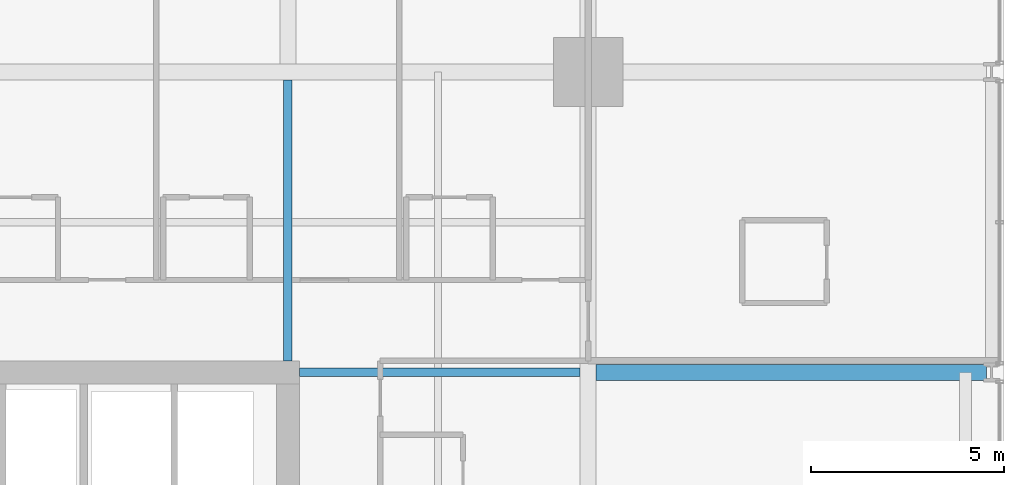
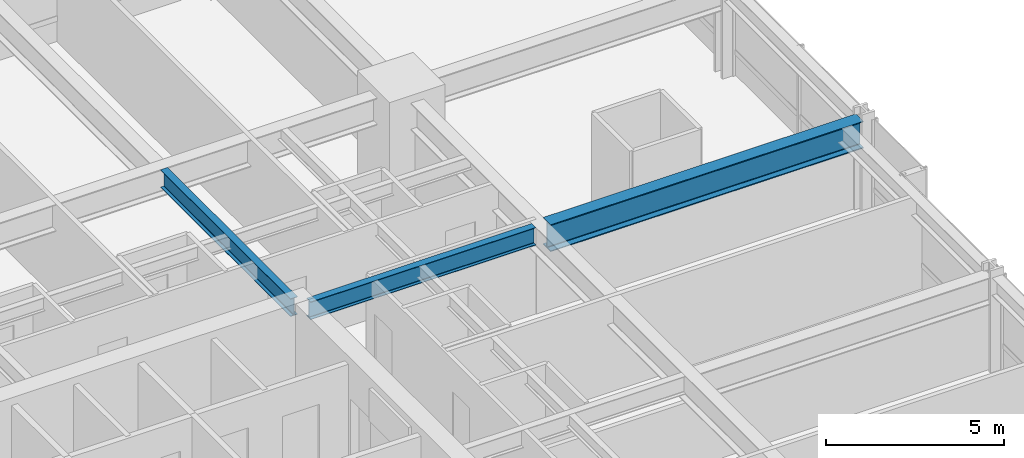
# One storey, part 24 of 39: 3 beams.
"""IFC4 building model written with IfcOpenShell, lengths in metres."""

from ifc_helpers import new_model, si_unit, direction, frame, origin, origin_2d, place, context, subcontext, project, spatial, i_section, extrude, material, material_profile, profile_set, type_object, element, save


model = new_model("IFC4")

# Units and contexts
model_context = context("Model", 3, precision=1e-05, world=origin(), true_north=direction((0.0, 1.0)))
body_context = subcontext(model_context, "Body", "Model", "MODEL_VIEW")
ifc_project = project(units=[si_unit("LENGTHUNIT", "METRE"), si_unit("AREAUNIT", "SQUARE_METRE"), si_unit("VOLUMEUNIT", "CUBIC_METRE"), si_unit("PLANEANGLEUNIT", "RADIAN"), si_unit("MASSUNIT", "GRAM", prefix="KILO")], contexts=[model_context])

# Site, building, storey
site_placement = place(None, origin())
site = spatial("IfcSite", under=ifc_project, at=site_placement, CompositionType="ELEMENT")
building_placement = place(site_placement, origin())
building = spatial("IfcBuilding", under=site, at=building_placement, Name="Drelvath Grand Hotel", CompositionType="ELEMENT")
storey_placement = place(building_placement, frame((0.0, 0.0, 36.699951171875)))
storey = spatial("IfcBuildingStorey", under=building, at=storey_placement, Name="L07", CompositionType="ELEMENT", Elevation=36.699951171875)

# Beams
ifc_material = material(Name="Steel ASTM A992 Gr 50", Category="steel")
ifc_material_profile_1 = material_profile(ifc_material, i_section(OverallWidth=0.228271484375, OverallDepth=0.607666015625, WebThickness=0.01123046875, FlangeThickness=0.017333984375, FilletRadius=0.02001953125, at=origin_2d()), Name="W24X76")
ifc_profile_set_1 = profile_set([ifc_material_profile_1], Name="Steel ASTM A992 Gr 50")
beam_type_1 = type_object("IfcBeamType", Name="Primary Floor Girder W24X76", PredefinedType="BEAM", material=ifc_profile_set_1)
for number, where, z_axis, x_axis, name in (
    (1, (8.699951171875, 35.39990234375, 2.936279296875), (1.0, 0.0, 0.0), (0.0, 1.0, 0.0), "L07 East Core Tie F"),
    (2, (8.39990234375, 35.699951171875, 2.936279296875), (0.0, 1.0, 0.0), (-1.0, 0.0, 0.0), "L07 North Core Tie 6"),
):
    element("IfcBeam", number, at=place(storey_placement, frame(where, z_axis=z_axis, x_axis=x_axis)), inside=storey, type_object=beam_type_1, Name=name, PredefinedType="BEAM", context=body_context, shape_type="SweptSolid", body=[
        extrude(i_section(OverallWidth=0.228271484375, OverallDepth=0.607666015625, WebThickness=0.01123046875, FlangeThickness=0.017333984375, FilletRadius=0.02001953125, at=origin_2d()), origin(), (0.0, 0.0, 1.0), 7.290771484375),
    ])
ifc_material_profile_2 = material_profile(ifc_material, i_section(OverallWidth=0.418212890625, OverallDepth=0.926513671875, WebThickness=0.019287109375, FlangeThickness=0.031982421875, FilletRadius=0.028076171875, at=origin_2d()), Name="W36X231")
ifc_profile_set_2 = profile_set([ifc_material_profile_2], Name="Steel ASTM A992 Gr 50")
beam_type_2 = type_object("IfcBeamType", Name="Primary Floor Girder W36X231", PredefinedType="BEAM", material=ifc_profile_set_2)
beam_placement = place(storey_placement, frame((16.4091796875, 35.39990234375, 2.77685546875), z_axis=(1.0, 0.0, 0.0), x_axis=(0.0, 1.0, 0.0)))
element("IfcBeam", 3, at=beam_placement, inside=storey, type_object=beam_type_2, Name="L07 East Wing Girder F", PredefinedType="BEAM", context=body_context, shape_type="SweptSolid", body=[
    extrude(i_section(OverallWidth=0.418212890625, OverallDepth=0.926513671875, WebThickness=0.019287109375, FlangeThickness=0.031982421875, FilletRadius=0.028076171875, at=origin_2d()), origin(), (0.0, 0.0, 1.0), 10.130859375),
])

save(model, "model.ifc")
